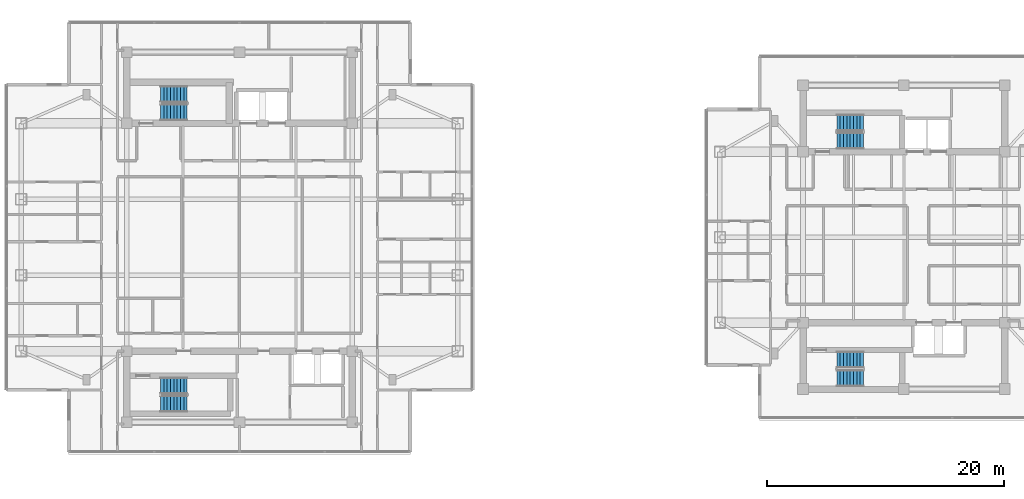
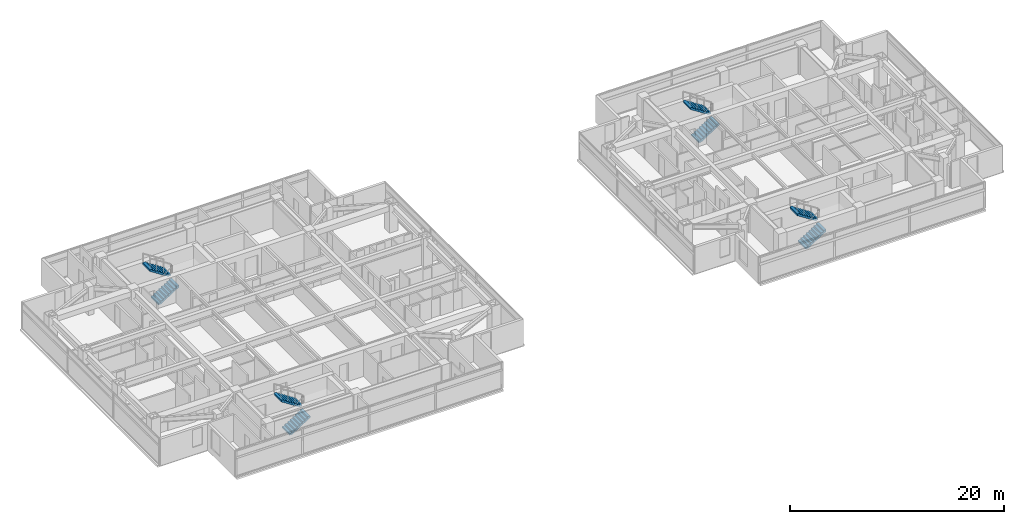
# One storey, part 19 of 24: 8 stair flights, 4 elements without a shape of their own.
"""IFC4 building model written with IfcOpenShell, lengths in metres."""

from ifc_helpers import new_model, si_unit, direction, frame, origin, place, context, subcontext, project, spatial, polyline, outline, extrude, material, type_object, element, aggregate, save


model = new_model("IFC4")

# Units and contexts
model_context = context("Model", 3, precision=1e-05, world=origin(), true_north=direction((0.0, 1.0)))
body_context = subcontext(model_context, "Body", "Model", "MODEL_VIEW")
ifc_project = project(units=[si_unit("LENGTHUNIT", "METRE"), si_unit("AREAUNIT", "SQUARE_METRE"), si_unit("VOLUMEUNIT", "CUBIC_METRE"), si_unit("PLANEANGLEUNIT", "RADIAN"), si_unit("MASSUNIT", "GRAM", prefix="KILO")], contexts=[model_context])

# Site, building, storey
site_placement = place(None, origin())
site = spatial("IfcSite", under=ifc_project, at=site_placement, CompositionType="ELEMENT")
building_placement = place(site_placement, origin())
building = spatial("IfcBuilding", under=site, at=building_placement, Name="Mirazonda Arch Towers", CompositionType="ELEMENT")
storey_placement = place(building_placement, frame((0.0, 0.0, 186.89990234375)))
storey = spatial("IfcBuildingStorey", under=building, at=storey_placement, Name="L53", CompositionType="ELEMENT", Elevation=186.89990234375)

# Stair, stair flights
ifc_material = material(Name="Concrete C40/50", Category="concrete")
stair_type = type_object("IfcStairType", Name="STAIR-CORE-1400", PredefinedType="HALF_TURN_STAIR", material=ifc_material)
stair_1_placement = place(storey_placement, origin())
stair_1 = element("IfcStair", 1, at=stair_1_placement, inside=storey, type_object=stair_type, Name="L53 Protected Exit Stair ST-T1N", PredefinedType="HALF_TURN_STAIR")
stair_flight_type = type_object("IfcStairFlightType", Name="FLIGHT-1400", PredefinedType="STRAIGHT", material=ifc_material)
stair_flight_1_placement = place(storey_placement, frame((13.85009765625, 38.52001953125, 0.0), z_axis=(0.0, 0.0, 1.0), x_axis=(1.0, 0.0, 0.0)))
stair_flight_1 = element("IfcStairFlight", 2, at=stair_flight_1_placement, type_object=stair_flight_type, Name="ST-T1N flight 1", NumberOfRisers=9, NumberOfTreads=8, PredefinedType="STRAIGHT", RiserHeight=0.180555556, TreadLength=0.28, context=body_context, shape_type="SweptSolid", body=[
    extrude(outline(polyline([(0.0, 0.0), (0.0, 0.1806640625), (0.280029296875, 0.1806640625), (0.280029296875, 0.361083984375), (0.56005859375, 0.361083984375), (0.56005859375, 0.541748046875), (0.840087890625, 0.541748046875), (0.840087890625, 0.72216796875), (1.1201171875, 0.72216796875), (1.1201171875, 0.90283203125), (1.39990234375, 0.90283203125), (1.39990234375, 1.083251953125), (1.679931640625, 1.083251953125), (1.679931640625, 1.263916015625), (1.9599609375, 1.263916015625), (1.9599609375, 1.4443359375), (2.239990234375, 1.4443359375), (2.239990234375, 1.625), (2.239990234375, 1.254150390625), (0.295166015625, 0.0), (0.0, 0.0)])), frame((0.0, 0.699951171875, 0.0), z_axis=(0.0, -1.0, 0.0), x_axis=(1.0, 0.0, 0.0)), (0.0, 0.0, 1.0), 1.39990234375),
])
stair_flight_2_placement = place(storey_placement, frame((16.090087890625, 40.06005859375, 1.625), z_axis=(0.0, 0.0, 1.0), x_axis=(-1.0, 0.0, 0.0)))
stair_flight_2 = element("IfcStairFlight", 3, at=stair_flight_2_placement, type_object=stair_flight_type, Name="ST-T1N flight 2", NumberOfRisers=9, NumberOfTreads=8, PredefinedType="STRAIGHT", RiserHeight=0.180555556, TreadLength=0.28, context=body_context, shape_type="SweptSolid", body=[
    extrude(outline(polyline([(0.0, 0.0), (0.0, 0.1806640625), (0.280029296875, 0.1806640625), (0.280029296875, 0.361083984375), (0.56005859375, 0.361083984375), (0.56005859375, 0.541748046875), (0.840087890625, 0.541748046875), (0.840087890625, 0.72216796875), (1.1201171875, 0.72216796875), (1.1201171875, 0.90283203125), (1.39990234375, 0.90283203125), (1.39990234375, 1.083251953125), (1.679931640625, 1.083251953125), (1.679931640625, 1.263916015625), (1.9599609375, 1.263916015625), (1.9599609375, 1.4443359375), (2.239990234375, 1.4443359375), (2.239990234375, 1.625), (2.239990234375, 1.254150390625), (0.295166015625, 0.0), (0.0, 0.0)])), frame((0.0, 0.699951171875, 0.0), z_axis=(0.0, -1.0, 0.0), x_axis=(1.0, 0.0, 0.0)), (0.0, 0.0, 1.0), 1.39990234375),
])
aggregate(stair_1, [stair_flight_1, stair_flight_2])

stair_2_placement = place(storey_placement, origin())
stair_2 = element("IfcStair", 4, at=stair_2_placement, inside=storey, type_object=stair_type, Name="L53 Protected Exit Stair ST-T1S", PredefinedType="HALF_TURN_STAIR")
stair_flight_3_placement = place(storey_placement, frame((13.85009765625, 13.949951171875, 0.0), z_axis=(0.0, 0.0, 1.0), x_axis=(1.0, 0.0, 0.0)))
stair_flight_3 = element("IfcStairFlight", 5, at=stair_flight_3_placement, type_object=stair_flight_type, Name="ST-T1S flight 1", NumberOfRisers=9, NumberOfTreads=8, PredefinedType="STRAIGHT", RiserHeight=0.180555556, TreadLength=0.28, context=body_context, shape_type="SweptSolid", body=[
    extrude(outline(polyline([(0.0, 0.0), (0.0, 0.1806640625), (0.280029296875, 0.1806640625), (0.280029296875, 0.361083984375), (0.56005859375, 0.361083984375), (0.56005859375, 0.541748046875), (0.840087890625, 0.541748046875), (0.840087890625, 0.72216796875), (1.1201171875, 0.72216796875), (1.1201171875, 0.90283203125), (1.39990234375, 0.90283203125), (1.39990234375, 1.083251953125), (1.679931640625, 1.083251953125), (1.679931640625, 1.263916015625), (1.9599609375, 1.263916015625), (1.9599609375, 1.4443359375), (2.239990234375, 1.4443359375), (2.239990234375, 1.625), (2.239990234375, 1.254150390625), (0.295166015625, 0.0), (0.0, 0.0)])), frame((0.0, 0.699951171875, 0.0), z_axis=(0.0, -1.0, 0.0), x_axis=(1.0, 0.0, 0.0)), (0.0, 0.0, 1.0), 1.39990234375),
])
stair_flight_4_placement = place(storey_placement, frame((16.090087890625, 15.489990234375, 1.625), z_axis=(0.0, 0.0, 1.0), x_axis=(-1.0, 0.0, 0.0)))
stair_flight_4 = element("IfcStairFlight", 6, at=stair_flight_4_placement, type_object=stair_flight_type, Name="ST-T1S flight 2", NumberOfRisers=9, NumberOfTreads=8, PredefinedType="STRAIGHT", RiserHeight=0.180555556, TreadLength=0.28, context=body_context, shape_type="SweptSolid", body=[
    extrude(outline(polyline([(0.0, 0.0), (0.0, 0.1806640625), (0.280029296875, 0.1806640625), (0.280029296875, 0.361083984375), (0.56005859375, 0.361083984375), (0.56005859375, 0.541748046875), (0.840087890625, 0.541748046875), (0.840087890625, 0.72216796875), (1.1201171875, 0.72216796875), (1.1201171875, 0.90283203125), (1.39990234375, 0.90283203125), (1.39990234375, 1.083251953125), (1.679931640625, 1.083251953125), (1.679931640625, 1.263916015625), (1.9599609375, 1.263916015625), (1.9599609375, 1.4443359375), (2.239990234375, 1.4443359375), (2.239990234375, 1.625), (2.239990234375, 1.254150390625), (0.295166015625, 0.0), (0.0, 0.0)])), frame((0.0, 0.699951171875, 0.0), z_axis=(0.0, -1.0, 0.0), x_axis=(1.0, 0.0, 0.0)), (0.0, 0.0, 1.0), 1.39990234375),
])
aggregate(stair_2, [stair_flight_3, stair_flight_4])

stair_3_placement = place(storey_placement, origin())
stair_3 = element("IfcStair", 7, at=stair_3_placement, inside=storey, type_object=stair_type, Name="L53 Protected Exit Stair ST-T2N", PredefinedType="HALF_TURN_STAIR")
stair_flight_5_placement = place(storey_placement, frame((70.85009765625, 36.1201171875, 0.0), z_axis=(0.0, 0.0, 1.0), x_axis=(1.0, 0.0, 0.0)))
stair_flight_5 = element("IfcStairFlight", 8, at=stair_flight_5_placement, type_object=stair_flight_type, Name="ST-T2N flight 1", NumberOfRisers=9, NumberOfTreads=8, PredefinedType="STRAIGHT", RiserHeight=0.180555556, TreadLength=0.28, context=body_context, shape_type="SweptSolid", body=[
    extrude(outline(polyline([(0.0, 0.0), (0.0, 0.1806640625), (0.280029296875, 0.1806640625), (0.280029296875, 0.361083984375), (0.56005859375, 0.361083984375), (0.56005859375, 0.541748046875), (0.840087890625, 0.541748046875), (0.840087890625, 0.72216796875), (1.1201171875, 0.72216796875), (1.1201171875, 0.90283203125), (1.39990234375, 0.90283203125), (1.39990234375, 1.083251953125), (1.679931640625, 1.083251953125), (1.679931640625, 1.263916015625), (1.9599609375, 1.263916015625), (1.9599609375, 1.4443359375), (2.239990234375, 1.4443359375), (2.239990234375, 1.625), (2.239990234375, 1.254150390625), (0.295166015625, 0.0), (0.0, 0.0)])), frame((0.0, 0.699951171875, 0.0), z_axis=(0.0, -1.0, 0.0), x_axis=(1.0, 0.0, 0.0)), (0.0, 0.0, 1.0), 1.39990234375),
])
stair_flight_6_placement = place(storey_placement, frame((73.090087890625, 37.659912109375, 1.625), z_axis=(0.0, 0.0, 1.0), x_axis=(-1.0, 0.0, 0.0)))
stair_flight_6 = element("IfcStairFlight", 9, at=stair_flight_6_placement, type_object=stair_flight_type, Name="ST-T2N flight 2", NumberOfRisers=9, NumberOfTreads=8, PredefinedType="STRAIGHT", RiserHeight=0.180555556, TreadLength=0.28, context=body_context, shape_type="SweptSolid", body=[
    extrude(outline(polyline([(0.0, 0.0), (0.0, 0.1806640625), (0.280029296875, 0.1806640625), (0.280029296875, 0.361083984375), (0.56005859375, 0.361083984375), (0.56005859375, 0.541748046875), (0.840087890625, 0.541748046875), (0.840087890625, 0.72216796875), (1.1201171875, 0.72216796875), (1.1201171875, 0.90283203125), (1.39990234375, 0.90283203125), (1.39990234375, 1.083251953125), (1.679931640625, 1.083251953125), (1.679931640625, 1.263916015625), (1.9599609375, 1.263916015625), (1.9599609375, 1.4443359375), (2.239990234375, 1.4443359375), (2.239990234375, 1.625), (2.239990234375, 1.254150390625), (0.295166015625, 0.0), (0.0, 0.0)])), frame((0.0, 0.699951171875, 0.0), z_axis=(0.0, -1.0, 0.0), x_axis=(1.0, 0.0, 0.0)), (0.0, 0.0, 1.0), 1.39990234375),
])
aggregate(stair_3, [stair_flight_5, stair_flight_6])

stair_4_placement = place(storey_placement, origin())
stair_4 = element("IfcStair", 10, at=stair_4_placement, inside=storey, type_object=stair_type, Name="L53 Protected Exit Stair ST-T2S", PredefinedType="HALF_TURN_STAIR")
stair_flight_7_placement = place(storey_placement, frame((70.85009765625, 16.1201171875, 0.0), z_axis=(0.0, 0.0, 1.0), x_axis=(1.0, 0.0, 0.0)))
stair_flight_7 = element("IfcStairFlight", 11, at=stair_flight_7_placement, type_object=stair_flight_type, Name="ST-T2S flight 1", NumberOfRisers=9, NumberOfTreads=8, PredefinedType="STRAIGHT", RiserHeight=0.180555556, TreadLength=0.28, context=body_context, shape_type="SweptSolid", body=[
    extrude(outline(polyline([(0.0, 0.0), (0.0, 0.1806640625), (0.280029296875, 0.1806640625), (0.280029296875, 0.361083984375), (0.56005859375, 0.361083984375), (0.56005859375, 0.541748046875), (0.840087890625, 0.541748046875), (0.840087890625, 0.72216796875), (1.1201171875, 0.72216796875), (1.1201171875, 0.90283203125), (1.39990234375, 0.90283203125), (1.39990234375, 1.083251953125), (1.679931640625, 1.083251953125), (1.679931640625, 1.263916015625), (1.9599609375, 1.263916015625), (1.9599609375, 1.4443359375), (2.239990234375, 1.4443359375), (2.239990234375, 1.625), (2.239990234375, 1.254150390625), (0.295166015625, 0.0), (0.0, 0.0)])), frame((0.0, 0.699951171875, 0.0), z_axis=(0.0, -1.0, 0.0), x_axis=(1.0, 0.0, 0.0)), (0.0, 0.0, 1.0), 1.39990234375),
])
stair_flight_8_placement = place(storey_placement, frame((73.090087890625, 17.659912109375, 1.625), z_axis=(0.0, 0.0, 1.0), x_axis=(-1.0, 0.0, 0.0)))
stair_flight_8 = element("IfcStairFlight", 12, at=stair_flight_8_placement, type_object=stair_flight_type, Name="ST-T2S flight 2", NumberOfRisers=9, NumberOfTreads=8, PredefinedType="STRAIGHT", RiserHeight=0.180555556, TreadLength=0.28, context=body_context, shape_type="SweptSolid", body=[
    extrude(outline(polyline([(0.0, 0.0), (0.0, 0.1806640625), (0.280029296875, 0.1806640625), (0.280029296875, 0.361083984375), (0.56005859375, 0.361083984375), (0.56005859375, 0.541748046875), (0.840087890625, 0.541748046875), (0.840087890625, 0.72216796875), (1.1201171875, 0.72216796875), (1.1201171875, 0.90283203125), (1.39990234375, 0.90283203125), (1.39990234375, 1.083251953125), (1.679931640625, 1.083251953125), (1.679931640625, 1.263916015625), (1.9599609375, 1.263916015625), (1.9599609375, 1.4443359375), (2.239990234375, 1.4443359375), (2.239990234375, 1.625), (2.239990234375, 1.254150390625), (0.295166015625, 0.0), (0.0, 0.0)])), frame((0.0, 0.699951171875, 0.0), z_axis=(0.0, -1.0, 0.0), x_axis=(1.0, 0.0, 0.0)), (0.0, 0.0, 1.0), 1.39990234375),
])
aggregate(stair_4, [stair_flight_7, stair_flight_8])

save(model, "model.ifc")
